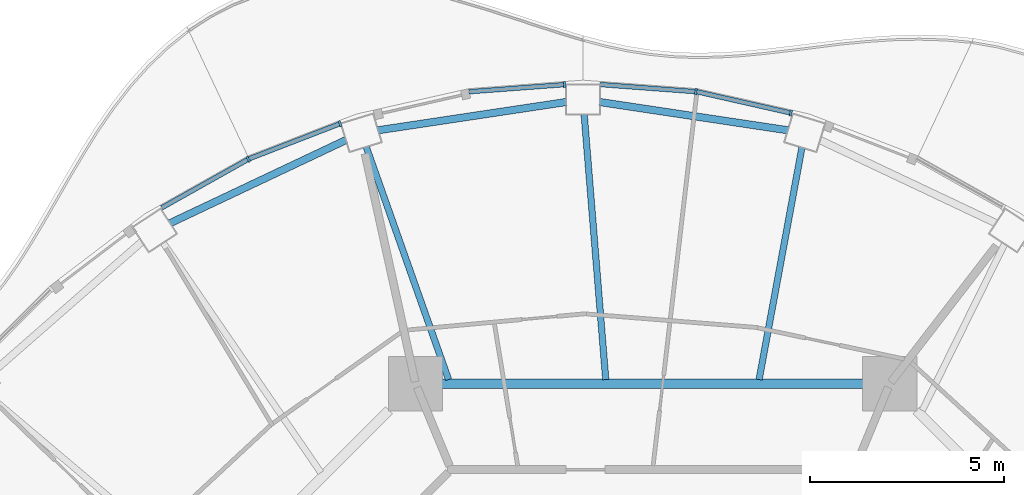
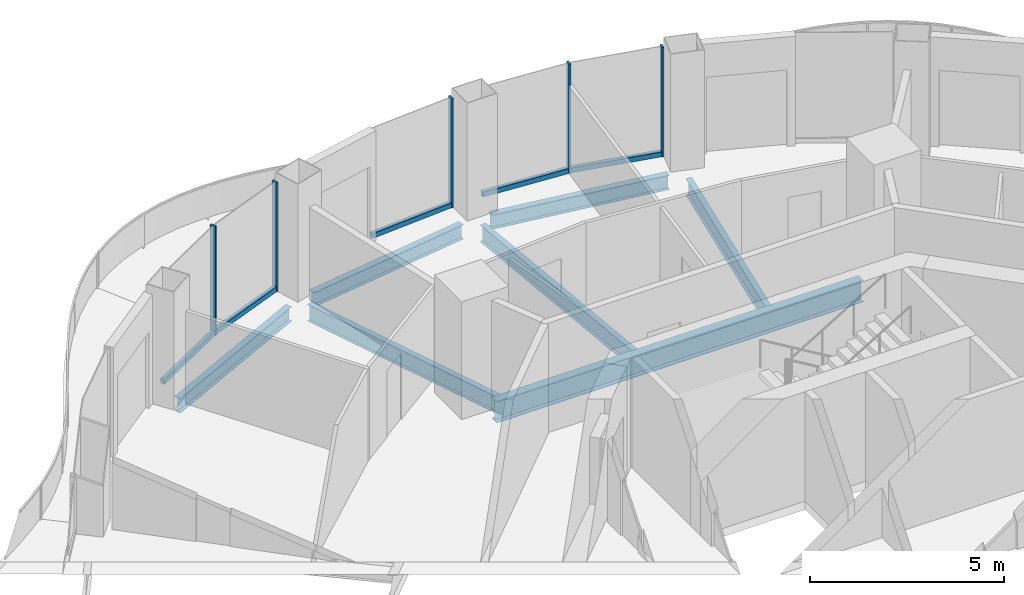
# One storey, part 6 of 18: 10 members, 7 beams, 5 elements without a shape of their own.
"""IFC4 building model written with IfcOpenShell, lengths in metres."""

import ifcopenshell
import ifcopenshell.guid

model = None  # the IFC model being written
_history = None  # IfcOwnerHistory: only IFC2X3 demands one
_inside = {}  # id of a spatial element -> (the spatial element, [elements in it])
_under = {}  # id of a project, library or spatial element -> (it, [spatial elements below it])
_declared = {}  # id of a project -> (the project, [libraries it declares])
_typed = {}  # id of a type object -> (the type object, [elements of that type])
_made_of = {}  # id of a material, layer set ... -> (it, [elements and type objects made of it])


def new_model(schema):
    """Start an empty IFC model of exactly this schema.

    Asked for "IFC4X3", IfcOpenShell would pick the latest addendum, in which some entities
    have other attributes; the version numbers below select the first issue.
    IFC2X3 requires an IfcOwnerHistory on every rooted entity: one is made here for all.
    """
    global model, _history
    if schema == "IFC4X3":
        model = ifcopenshell.file(schema_version=(4, 3, 0, 0))
    else:
        model = ifcopenshell.file(schema=schema)
    _inside.clear()
    _under.clear()
    _declared.clear()
    _typed.clear()
    _made_of.clear()
    _history = None
    if model.schema == "IFC2X3":
        org = make("IfcOrganization", Name="unknown")
        user = make(
            "IfcPersonAndOrganization",
            ThePerson=make("IfcPerson", FamilyName="unknown"),
            TheOrganization=org,
        )
        app = make(
            "IfcApplication",
            ApplicationDeveloper=org,
            Version="unknown",
            ApplicationFullName="unknown",
            ApplicationIdentifier="unknown",
        )
        _history = make(
            "IfcOwnerHistory",
            OwningUser=user,
            OwningApplication=app,
            ChangeAction="ADDED",
            CreationDate=0,
        )
    return model


def make(cls, **values):
    """One entity of the class cls with the attributes given. An attribute that is None is left unset."""
    return model.create_entity(
        cls, **{name: value for name, value in values.items() if value is not None}
    )


def rooted(cls, **values):
    """An entity with a GlobalId (a new one), such as an element, a storey or a relation."""
    return make(cls, GlobalId=ifcopenshell.guid.new(), OwnerHistory=_history, **values)


def si_unit(unit_type, name, prefix=None):
    """IfcSIUnit, for example si_unit("LENGTHUNIT", "METRE", prefix="MILLI")."""
    return make("IfcSIUnit", UnitType=unit_type, Prefix=prefix, Name=name)


def assignment(units):
    """IfcUnitAssignment: the units of a project."""
    return None if units is None else make("IfcUnitAssignment", Units=units)


def point(xyz):
    """IfcCartesianPoint."""
    return None if xyz is None else make("IfcCartesianPoint", Coordinates=xyz)


def direction(xyz):
    """IfcDirection."""
    return None if xyz is None else make("IfcDirection", DirectionRatios=xyz)


def frame(location, z_axis=None, x_axis=None):
    """IfcAxis2Placement3D, a coordinate frame: its origin and axes. An axis left out is left unset."""
    return make(
        "IfcAxis2Placement3D",
        Location=point(location),
        Axis=direction(z_axis),
        RefDirection=direction(x_axis),
    )


def frame_2d(location, x_axis=None):
    """IfcAxis2Placement2D, a coordinate frame in the plane: its origin and x axis."""
    return make(
        "IfcAxis2Placement2D", Location=point(location), RefDirection=direction(x_axis)
    )


def origin():
    """The frame at (0, 0, 0) with its axes left unset."""
    return frame((0.0, 0.0, 0.0))


def origin_2d():
    """The frame at (0, 0) in the plane with its x axis left unset."""
    return frame_2d((0.0, 0.0))


def place(relative_to, where):
    """IfcLocalPlacement: puts the frame where relative to a parent placement (None: the world)."""
    return make(
        "IfcLocalPlacement", PlacementRelTo=relative_to, RelativePlacement=where
    )


def context(
    kind, dimensions, precision=None, world=None, true_north=None, identifier=None
):
    """IfcGeometricRepresentationContext, for example the 3D "Model" context."""
    return make(
        "IfcGeometricRepresentationContext",
        ContextIdentifier=identifier,
        ContextType=kind,
        CoordinateSpaceDimension=dimensions,
        Precision=precision,
        WorldCoordinateSystem=world,
        TrueNorth=true_north,
    )


def subcontext(parent, identifier, kind, view, scale=None):
    """IfcGeometricRepresentationSubContext, for example "Body" below "Model"."""
    return make(
        "IfcGeometricRepresentationSubContext",
        ContextIdentifier=identifier,
        ContextType=kind,
        ParentContext=parent,
        TargetScale=scale,
        TargetView=view,
    )


def project(units=None, contexts=None):
    """IfcProject with its units and contexts."""
    return rooted(
        "IfcProject",
        Name="project",
        RepresentationContexts=contexts,
        UnitsInContext=assignment(units),
    )


def spatial(cls, under=None, at=None, **own):
    """A site, building, storey or space (cls), placed at a placement, below another one or the project."""
    s = rooted(cls, ObjectPlacement=at, **own)
    if under is not None:
        _under.setdefault(under.id(), (under, []))[1].append(s)
    return s


def profile(cls, at=None, kind="AREA", **sizes):
    """A parametric profile (cls). Its sizes go by their IFC names, for example OverallWidth=200.0."""
    return make(cls, ProfileType=kind, Position=at, **sizes)


def rectangle(**sizes):
    """IfcRectangleProfileDef."""
    return profile("IfcRectangleProfileDef", **sizes)


def i_section(**sizes):
    """IfcIShapeProfileDef."""
    return profile("IfcIShapeProfileDef", **sizes)


def extrude(swept, where, along, depth):
    """IfcExtrudedAreaSolid: the profile swept, set in the frame where, extruded along a direction by depth."""
    return make(
        "IfcExtrudedAreaSolid",
        SweptArea=swept,
        Position=where,
        ExtrudedDirection=direction(along),
        Depth=depth,
    )


def shape(context_of_items, identifier, shape_type, items):
    """IfcShapeRepresentation: the items that make up one representation, for example the "Body"."""
    return make(
        "IfcShapeRepresentation",
        ContextOfItems=context_of_items,
        RepresentationIdentifier=identifier,
        RepresentationType=shape_type,
        Items=items,
    )


def material(Name=None, Category=None):
    """IfcMaterial."""
    return make("IfcMaterial", Name=Name, Category=Category)


def layer(
    of_material, thickness, ventilated=None, Name=None, Category=None, Priority=None
):
    """IfcMaterialLayer: one layer of a wall or slab, of a material (None: an air gap)."""
    return make(
        "IfcMaterialLayer",
        Material=of_material,
        LayerThickness=thickness,
        IsVentilated=ventilated,
        Name=Name,
        Category=Category,
        Priority=Priority,
    )


def layer_set(layers, Name=None):
    """IfcMaterialLayerSet."""
    return make("IfcMaterialLayerSet", MaterialLayers=layers, LayerSetName=Name)


def material_profile(
    of_material, cross_section, Name=None, Category=None, Priority=None
):
    """IfcMaterialProfile: a cross section and its material."""
    return make(
        "IfcMaterialProfile",
        Name=Name,
        Material=of_material,
        Profile=cross_section,
        Priority=Priority,
        Category=Category,
    )


def profile_set(profiles, Name=None, composite=None):
    """IfcMaterialProfileSet."""
    return make(
        "IfcMaterialProfileSet",
        Name=Name,
        MaterialProfiles=profiles,
        CompositeProfile=composite,
    )


def made_of(thing, what):
    """Note that an element or type object is made of a material, layer set ...; save() writes the relation."""
    if what is not None:
        _made_of.setdefault(what.id(), (what, []))[1].append(thing)
    return thing


def type_object(cls, material=None, **own):
    """A type object (cls), such as IfcWallType, which elements share."""
    return made_of(rooted(cls, **own), material)


def element(
    cls,
    number,
    at=None,
    inside=None,
    cuts=None,
    type_object=None,
    material=None,
    context=None,
    identifier="Body",
    shape_type=None,
    held_by="IfcProductDefinitionShape",
    body=None,
    shapes=None,
    **own,
):
    """One element of the class cls, such as IfcWall. Its Tag is "e" and its number.

    at: its placement. inside: the storey or other place that contains it. cuts: it is an
    opening in that element (IfcRelVoidsElement). A single representation is given by context,
    identifier, shape_type and body (its items); several are given by shapes. held_by: the class
    of the entity that holds the representations. save() writes the other relations.
    """
    e = rooted(cls, Tag="e%d" % number, ObjectPlacement=at, **own)
    if body is not None:
        shapes = [shape(context, identifier, shape_type, body)]
    if shapes is not None:
        e.Representation = make(held_by, Representations=shapes)
    if inside is not None:
        _inside.setdefault(inside.id(), (inside, []))[1].append(e)
    if cuts is not None:
        rooted(
            "IfcRelVoidsElement", RelatingBuildingElement=cuts, RelatedOpeningElement=e
        )
    if type_object is not None:
        _typed.setdefault(type_object.id(), (type_object, []))[1].append(e)
    return made_of(e, material)


def aggregate(whole, parts):
    """IfcRelAggregates: a whole, such as a stair, and the parts it consists of."""
    return rooted("IfcRelAggregates", RelatingObject=whole, RelatedObjects=parts)


def save(model, path):
    """Write the relations noted so far, then the file.

    IfcRelAggregates (storeys below a building ...), IfcRelContainedInSpatialStructure (elements
    in a storey), IfcRelDefinesByType, IfcRelAssociatesMaterial and IfcRelDeclares: one each for
    every whole, place, type object, material and project.
    """
    for whole, parts in _under.values():
        aggregate(whole, parts)
    for where, things in _inside.values():
        rooted(
            "IfcRelContainedInSpatialStructure",
            RelatedElements=things,
            RelatingStructure=where,
        )
    for kind, things in _typed.values():
        rooted("IfcRelDefinesByType", RelatedObjects=things, RelatingType=kind)
    for what, things in _made_of.values():
        rooted("IfcRelAssociatesMaterial", RelatedObjects=things, RelatingMaterial=what)
    for by, libraries in _declared.values():
        rooted("IfcRelDeclares", RelatingContext=by, RelatedDefinitions=libraries)
    model.write(path)


model = new_model("IFC4")

# Units and contexts
model_context = context("Model", 3, precision=1e-05, world=origin(), true_north=direction((0.0, 1.0)))
body_context = subcontext(model_context, "Body", "Model", "MODEL_VIEW")
ifc_project = project(units=[si_unit("LENGTHUNIT", "METRE"), si_unit("AREAUNIT", "SQUARE_METRE"), si_unit("VOLUMEUNIT", "CUBIC_METRE"), si_unit("PLANEANGLEUNIT", "RADIAN"), si_unit("MASSUNIT", "GRAM", prefix="KILO")], contexts=[model_context])

# Site, building, storey
site_placement = place(None, origin())
site = spatial("IfcSite", under=ifc_project, at=site_placement, CompositionType="ELEMENT")
building_placement = place(site_placement, origin())
building = spatial("IfcBuilding", under=site, at=building_placement, Name="Nagisa Residences", CompositionType="ELEMENT")
storey_placement = place(building_placement, frame((0.0, 0.0, 284.39990234375)))
storey = spatial("IfcBuildingStorey", under=building, at=storey_placement, Name="L72", CompositionType="ELEMENT", Elevation=284.39990234375)

# Curtain wall, member
ifc_material_1 = material(Name="Concrete-coloured aluminium curtain wall system", Category="concrete")
ifc_layer = layer(ifc_material_1, 0.159912109375)
ifc_layer_set = layer_set([ifc_layer], Name="CW1 CURTAIN WALL")
curtain_wall_type = type_object("IfcCurtainWallType", Name="CW1 CURTAIN WALL", PredefinedType="NOTDEFINED", material=ifc_layer_set)
curtain_wall_1_placement = place(storey_placement, origin())
curtain_wall_1 = element("IfcCurtainWall", 1, at=curtain_wall_1_placement, inside=storey, type_object=curtain_wall_type, Name="cw:CW1:L72:10", PredefinedType="NOTDEFINED")
ifc_material_2 = material(Name="Concrete-coloured aluminium", Category="concrete")
ifc_material_profile_1 = material_profile(ifc_material_2, rectangle(XDim=0.159912109375, YDim=0.06005859375, at=origin_2d()), Name="CW1 MULLION 160x60")
ifc_profile_set_1 = profile_set([ifc_material_profile_1], Name="Concrete-coloured aluminium")
member_type_1 = type_object("IfcMemberType", Name="CW1 MULLION 160x60", PredefinedType="MULLION", material=ifc_profile_set_1)
member_1_placement = place(storey_placement, frame((3.568603515625, 21.773193359375, 0.0), z_axis=(0.0, 0.0, 1.0), x_axis=(-0.2207639201, -0.975327274089, 0.0)))
member_1 = element("IfcMember", 2, at=member_1_placement, type_object=member_type_1, Name="CW1 mullion", PredefinedType="MULLION", context=body_context, shape_type="SweptSolid", body=[
    extrude(rectangle(XDim=0.159912109375, YDim=0.06005859375, at=origin_2d()), origin(), (0.0, 0.0, 1.0), 3.440185546875),
])

curtain_wall_2_placement = place(storey_placement, origin())
curtain_wall_2 = element("IfcCurtainWall", 3, at=curtain_wall_2_placement, inside=storey, type_object=curtain_wall_type, Name="cw:CW1:L72:11", PredefinedType="NOTDEFINED")
member_2_placement = place(storey_placement, frame((1.11669921875, 22.324462890625, 0.0), z_axis=(0.0, 0.0, 1.0), x_axis=(-0.074377355493, -0.997230168512, 0.0)))
member_2 = element("IfcMember", 4, at=member_2_placement, type_object=member_type_1, Name="CW1 mullion", PredefinedType="MULLION", context=body_context, shape_type="SweptSolid", body=[
    extrude(rectangle(XDim=0.159912109375, YDim=0.06005859375, at=origin_2d()), origin(), (0.0, 0.0, 1.0), 3.440185546875),
])

curtain_wall_3_placement = place(storey_placement, origin())
curtain_wall_3 = element("IfcCurtainWall", 5, at=curtain_wall_3_placement, inside=storey, type_object=curtain_wall_type, Name="cw:CW1:L72:12", PredefinedType="NOTDEFINED")
member_3_placement = place(storey_placement, frame((-2.272705078125, 22.5068359375, 0.0), z_axis=(0.0, 0.0, 1.0), x_axis=(0.074377355493, -0.997230168512, 0.0)))
member_3 = element("IfcMember", 6, at=member_3_placement, type_object=member_type_1, Name="CW1 mullion", PredefinedType="MULLION", context=body_context, shape_type="SweptSolid", body=[
    extrude(rectangle(XDim=0.159912109375, YDim=0.06005859375, at=origin_2d()), origin(), (0.0, 0.0, 1.0), 3.440185546875),
])

curtain_wall_4_placement = place(storey_placement, origin())
curtain_wall_4 = element("IfcCurtainWall", 7, at=curtain_wall_4_placement, inside=storey, type_object=curtain_wall_type, Name="cw:CW1:L72:14", PredefinedType="NOTDEFINED")
member_4_placement = place(storey_placement, frame((-8.073486328125, 21.49755859375, 0.0), z_axis=(0.0, 0.0, 1.0), x_axis=(0.360327770268, -0.932825759707, 0.0)))
member_4 = element("IfcMember", 8, at=member_4_placement, type_object=member_type_1, Name="CW1 mullion", PredefinedType="MULLION", context=body_context, shape_type="SweptSolid", body=[
    extrude(rectangle(XDim=0.159912109375, YDim=0.06005859375, at=origin_2d()), origin(), (0.0, 0.0, 1.0), 3.440185546875),
])

curtain_wall_5_placement = place(storey_placement, origin())
curtain_wall_5 = element("IfcCurtainWall", 9, at=curtain_wall_5_placement, inside=storey, type_object=curtain_wall_type, Name="cw:CW1:L72:15", PredefinedType="NOTDEFINED")
member_5_placement = place(storey_placement, frame((-10.443359375, 20.57861328125, 0.0), z_axis=(0.0, 0.0, 1.0), x_axis=(0.489376918501, -0.872072377523, 0.0)))
member_5 = element("IfcMember", 10, at=member_5_placement, type_object=member_type_1, Name="CW1 mullion", PredefinedType="MULLION", context=body_context, shape_type="SweptSolid", body=[
    extrude(rectangle(XDim=0.159912109375, YDim=0.06005859375, at=origin_2d()), origin(), (0.0, 0.0, 1.0), 3.440185546875),
])

# Member
ifc_material_3 = material(Name="Concrete-coloured aluminium", Category="concrete")
ifc_material_profile_2 = material_profile(ifc_material_3, rectangle(XDim=0.1201171875, YDim=0.14990234375, at=origin_2d()), Name="CW1 TRANSOM 120x150")
ifc_profile_set_2 = profile_set([ifc_material_profile_2], Name="Concrete-coloured aluminium")
member_type_2 = type_object("IfcMemberType", Name="CW1 TRANSOM 120x150", PredefinedType="USERDEFINED", material=ifc_profile_set_2)
member_6_placement = place(storey_placement, frame((3.597900390625, 21.7666015625, 0.0751953125), z_axis=(-0.975340398222, 0.220705930136, 0.0), x_axis=(-0.220705930136, -0.975340398222, 0.0)))
member_6 = element("IfcMember", 11, at=member_6_placement, type_object=member_type_2, Name="CW1 transom", ObjectType="TRANSOM", PredefinedType="USERDEFINED", context=body_context, shape_type="SweptSolid", body=[
    extrude(rectangle(XDim=0.1201171875, YDim=0.14990234375, at=origin_2d()), origin(), (0.0, 0.0, 1.0), 2.525390625),
])

aggregate(curtain_wall_1, [member_1, member_6])

member_7_placement = place(storey_placement, frame((1.146484375, 22.322265625, 0.0751953125), z_axis=(-0.99722914645, 0.074391057731, 0.0), x_axis=(-0.074391057731, -0.99722914645, 0.0)))
member_7 = element("IfcMember", 12, at=member_7_placement, type_object=member_type_2, Name="CW1 transom", ObjectType="TRANSOM", PredefinedType="USERDEFINED", context=body_context, shape_type="SweptSolid", body=[
    extrude(rectangle(XDim=0.1201171875, YDim=0.14990234375, at=origin_2d()), origin(), (0.0, 0.0, 1.0), 2.510498046875),
])

aggregate(curtain_wall_2, [member_2, member_7])

member_8_placement = place(storey_placement, frame((-2.242919921875, 22.509033203125, 0.0751953125), z_axis=(-0.99722914645, -0.074391057731, 0.0), x_axis=(0.074391057731, -0.99722914645, 0.0)))
member_8 = element("IfcMember", 13, at=member_8_placement, type_object=member_type_2, Name="CW1 transom", ObjectType="TRANSOM", PredefinedType="USERDEFINED", context=body_context, shape_type="SweptSolid", body=[
    extrude(rectangle(XDim=0.1201171875, YDim=0.14990234375, at=origin_2d()), origin(), (0.0, 0.0, 1.0), 2.510498046875),
])

aggregate(curtain_wall_3, [member_3, member_8])

member_9_placement = place(storey_placement, frame((-8.04541015625, 21.508544921875, 0.0751953125), z_axis=(-0.93282223778, -0.360336887792, 0.0), x_axis=(0.360336887792, -0.93282223778, 0.0)))
member_9 = element("IfcMember", 14, at=member_9_placement, type_object=member_type_2, Name="CW1 transom", ObjectType="TRANSOM", PredefinedType="USERDEFINED", context=body_context, shape_type="SweptSolid", body=[
    extrude(rectangle(XDim=0.1201171875, YDim=0.14990234375, at=origin_2d()), origin(), (0.0, 0.0, 1.0), 2.5537109375),
])

aggregate(curtain_wall_4, [member_4, member_9])

member_10_placement = place(storey_placement, frame((-10.417236328125, 20.59326171875, 0.0751953125), z_axis=(-0.872052877201, -0.489411666561, 0.0), x_axis=(0.489411666561, -0.872052877201, 0.0)))
member_10 = element("IfcMember", 15, at=member_10_placement, type_object=member_type_2, Name="CW1 transom", ObjectType="TRANSOM", PredefinedType="USERDEFINED", context=body_context, shape_type="SweptSolid", body=[
    extrude(rectangle(XDim=0.1201171875, YDim=0.14990234375, at=origin_2d()), origin(), (0.0, 0.0, 1.0), 2.593017578125),
])

aggregate(curtain_wall_5, [member_5, member_10])

# Beams
ifc_material_4 = material(Name="Steel ASTM A572 Gr 50", Category="steel")
ifc_material_profile_3 = material_profile(ifc_material_4, i_section(OverallWidth=0.2529296875, OverallDepth=0.677978515625, WebThickness=0.01171875, FlangeThickness=0.016357421875, at=origin_2d()), Name="W690x125")
ifc_profile_set_3 = profile_set([ifc_material_profile_3], Name="Steel ASTM A572 Gr 50")
beam_type_1 = type_object("IfcBeamType", Name="Inner ring beam W690x125", PredefinedType="BEAM", material=ifc_profile_set_3)
beam_1_placement = place(storey_placement, frame((5.44287109375, 14.781982421875, -0.598876953125), z_axis=(-1.0, 0.0, 0.0), x_axis=(0.0, -1.0, 0.0)))
element("IfcBeam", 16, at=beam_1_placement, inside=storey, type_object=beam_type_1, Name="beam:L72:ib2", PredefinedType="BEAM", context=body_context, shape_type="SweptSolid", body=[
    extrude(i_section(OverallWidth=0.2529296875, OverallDepth=0.677978515625, WebThickness=0.01171875, FlangeThickness=0.016357421875, at=origin_2d()), origin(), (0.0, 0.0, 1.0), 10.8857421875),
])
ifc_material_5 = material(Name="Steel ASTM A572 Gr 50", Category="steel")
ifc_material_profile_4 = material_profile(ifc_material_5, i_section(OverallWidth=0.18994140625, OverallDepth=0.45703125, WebThickness=0.009033203125, FlangeThickness=0.014404296875, at=origin_2d()), Name="W460x74")
ifc_profile_set_4 = profile_set([ifc_material_profile_4], Name="Steel ASTM A572 Gr 50")
beam_type_2 = type_object("IfcBeamType", Name="Perimeter ring beam W460x74", PredefinedType="BEAM", material=ifc_profile_set_4)
beam_2_placement = place(storey_placement, frame((3.4951171875, 21.326904296875, -0.48828125), z_axis=(-0.988907577601, 0.148532161377, 0.0), x_axis=(-0.148532161377, -0.988907577601, 0.0)))
element("IfcBeam", 17, at=beam_2_placement, inside=storey, type_object=beam_type_2, Name="beam:L72:pb06", PredefinedType="BEAM", context=body_context, shape_type="SweptSolid", body=[
    extrude(i_section(OverallWidth=0.18994140625, OverallDepth=0.45703125, WebThickness=0.009033203125, FlangeThickness=0.014404296875, at=origin_2d()), origin(), (0.0, 0.0, 1.0), 4.919677734375),
])
beam_3_placement = place(storey_placement, frame((-2.230224609375, 22.0576171875, -0.48828125), z_axis=(-0.98890648267, -0.148539451101, 0.0), x_axis=(0.148539451101, -0.98890648267, 0.0)))
element("IfcBeam", 18, at=beam_3_placement, inside=storey, type_object=beam_type_2, Name="beam:L72:pb07", PredefinedType="BEAM", context=body_context, shape_type="SweptSolid", body=[
    extrude(i_section(OverallWidth=0.18994140625, OverallDepth=0.45703125, WebThickness=0.009033203125, FlangeThickness=0.014404296875, at=origin_2d()), origin(), (0.0, 0.0, 1.0), 4.91943359375),
])
beam_4_placement = place(storey_placement, frame((-7.918212890625, 21.076416015625, -0.48828125), z_axis=(-0.904115893837, -0.427287316113, 0.0), x_axis=(0.427287316113, -0.904115893837, 0.0)))
element("IfcBeam", 19, at=beam_4_placement, inside=storey, type_object=beam_type_2, Name="beam:L72:pb08", PredefinedType="BEAM", context=body_context, shape_type="SweptSolid", body=[
    extrude(i_section(OverallWidth=0.18994140625, OverallDepth=0.45703125, WebThickness=0.009033203125, FlangeThickness=0.014404296875, at=origin_2d()), origin(), (0.0, 0.0, 1.0), 5.031494140625),
])
ifc_material_6 = material(Name="Steel ASTM A572 Gr 50", Category="steel")
ifc_material_profile_5 = material_profile(ifc_material_6, i_section(OverallWidth=0.166015625, OverallDepth=0.534912109375, WebThickness=0.01025390625, FlangeThickness=0.0166015625, at=origin_2d()), Name="W530x85")
ifc_profile_set_5 = profile_set([ifc_material_profile_5], Name="Steel ASTM A572 Gr 50")
beam_type_3 = type_object("IfcBeamType", Name="Radial beam W530x85", PredefinedType="BEAM", material=ifc_profile_set_5)
beam_5_placement = place(storey_placement, frame((3.855712890625, 20.885986328125, -0.52734375), z_axis=(-0.18155164865, -0.983381410681, 0.0), x_axis=(0.983381410681, -0.18155164865, 0.0)))
element("IfcBeam", 20, at=beam_5_placement, inside=storey, type_object=beam_type_3, Name="beam:L72:rb06", PredefinedType="BEAM", context=body_context, shape_type="SweptSolid", body=[
    extrude(i_section(OverallWidth=0.166015625, OverallDepth=0.534912109375, WebThickness=0.01025390625, FlangeThickness=0.0166015625, at=origin_2d()), origin(), (0.0, 0.0, 1.0), 6.098388671875),
])
beam_6_placement = place(storey_placement, frame((-1.76904296875, 21.7421875, -0.52734375), z_axis=(0.081094239996, -0.996706438346, 0.0), x_axis=(0.996706438346, 0.081094239996, 0.0)))
element("IfcBeam", 21, at=beam_6_placement, inside=storey, type_object=beam_type_3, Name="beam:L72:rb07", PredefinedType="BEAM", context=body_context, shape_type="SweptSolid", body=[
    extrude(i_section(OverallWidth=0.166015625, OverallDepth=0.534912109375, WebThickness=0.01025390625, FlangeThickness=0.0166015625, at=origin_2d()), origin(), (0.0, 0.0, 1.0), 6.876220703125),
])
beam_7_placement = place(storey_placement, frame((-7.398193359375, 20.903564453125, -0.52734375), z_axis=(0.333636730814, -0.942701719449, 0.0), x_axis=(0.942701719449, 0.333636730814, 0.0)))
element("IfcBeam", 22, at=beam_7_placement, inside=storey, type_object=beam_type_3, Name="beam:L72:rb08", PredefinedType="BEAM", context=body_context, shape_type="SweptSolid", body=[
    extrude(i_section(OverallWidth=0.166015625, OverallDepth=0.534912109375, WebThickness=0.01025390625, FlangeThickness=0.0166015625, at=origin_2d()), origin(), (0.0, 0.0, 1.0), 6.37939453125),
])

save(model, "model.ifc")
